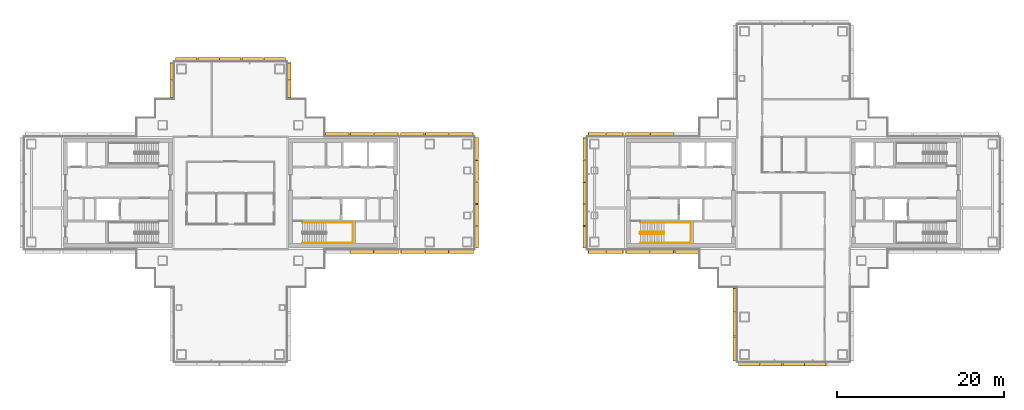
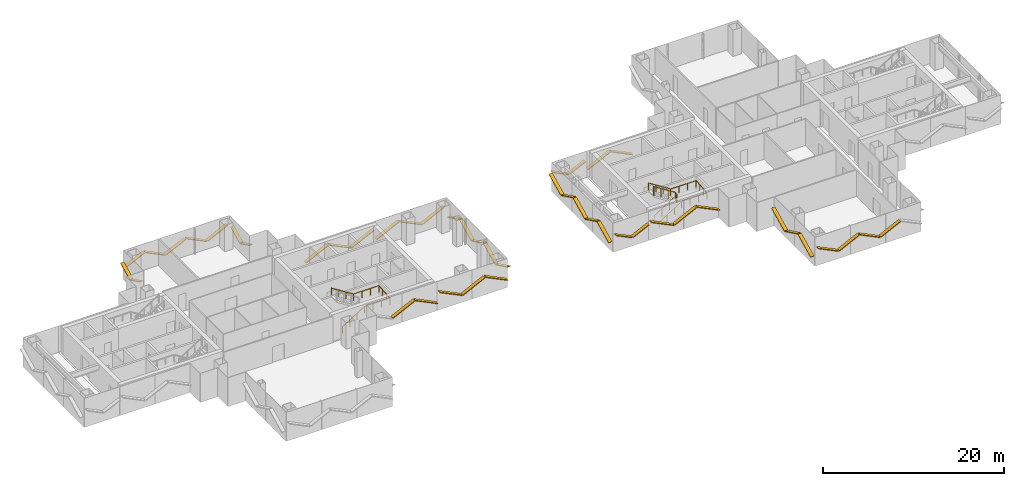
# One storey, part 15 of 16: 46 shading devices, 3 railings.
"""IFC4 building model written with IfcOpenShell, lengths in metres."""

from ifc_helpers import new_model, si_unit, direction, frame, origin, origin_2d, place, context, subcontext, project, spatial, rectangle, circle, extrude, material, material_profile, profile_set, type_object, element, save


model = new_model("IFC4")

# Units and contexts
model_context = context("Model", 3, precision=1e-05, world=origin(), true_north=direction((0.0, 1.0)))
body_context = subcontext(model_context, "Body", "Model", "MODEL_VIEW")
ifc_project = project(units=[si_unit("LENGTHUNIT", "METRE"), si_unit("AREAUNIT", "SQUARE_METRE"), si_unit("VOLUMEUNIT", "CUBIC_METRE"), si_unit("PLANEANGLEUNIT", "RADIAN"), si_unit("MASSUNIT", "GRAM", prefix="KILO")], contexts=[model_context])

# Site, building, storey
site_placement = place(None, origin())
site = spatial("IfcSite", under=ifc_project, at=site_placement, CompositionType="ELEMENT")
building_placement = place(site_placement, origin())
building = spatial("IfcBuilding", under=site, at=building_placement, Name="Shamsa Quay Exchange Towers", CompositionType="ELEMENT")
storey_placement = place(building_placement, frame((0.0, 0.0, 166.199951171875)))
storey = spatial("IfcBuildingStorey", under=building, at=storey_placement, Name="L39", CompositionType="ELEMENT", Elevation=166.199951171875)

# Shading devices
ifc_material_1 = material(Name="Aluminium EN AW-6063 T6, black anodised", Category="aluminium")
ifc_material_profile = material_profile(ifc_material_1, rectangle(XDim=0.449951171875, YDim=0.10009765625, at=origin_2d()), Name="FIN450x100")
ifc_profile_set = profile_set([ifc_material_profile], Name="Aluminium EN AW-6063 T6, black anodised")
shading_device_type = type_object("IfcShadingDeviceType", Name="FIN 450x100 BLACK ALUMINIUM", PredefinedType="USERDEFINED", material=ifc_profile_set)
shading_device_1_placement = place(storey_placement, frame((-19.374755859375, -7.01904296875, 0.92041015625), z_axis=(0.898807785805, 0.0, 0.438342975507), x_axis=(0.0, 1.0, 0.0)))
element("IfcShadingDevice", 1, at=shading_device_1_placement, inside=storey, type_object=shading_device_type, Name="FIN T1 chevron rib", ObjectType="FIN", PredefinedType="USERDEFINED", context=body_context, shape_type="SweptSolid", body=[
    extrude(rectangle(XDim=0.449951171875, YDim=0.10009765625, at=origin_2d()), origin(), (0.0, 0.0, 1.0), 3.10107421875),
])
shading_device_2_placement = place(storey_placement, frame((-16.4873046875, -7.01904296875, 2.2919921875), z_axis=(0.898807091918, 0.0, -0.438344398296), x_axis=(0.0, 1.0, 0.0)))
element("IfcShadingDevice", 2, at=shading_device_2_placement, inside=storey, type_object=shading_device_type, Name="FIN T1 chevron rib", ObjectType="FIN", PredefinedType="USERDEFINED", context=body_context, shape_type="SweptSolid", body=[
    extrude(rectangle(XDim=0.449951171875, YDim=0.10009765625, at=origin_2d()), origin(), (0.0, 0.0, 1.0), 3.15673828125),
])
shading_device_3_placement = place(storey_placement, frame((-13.35009765625, -7.014892578125, 2.295166015625), z_axis=(0.898787683167, 0.0, -0.438384192903), x_axis=(0.0, 1.0, 0.0)))
element("IfcShadingDevice", 3, at=shading_device_3_placement, inside=storey, type_object=shading_device_type, Name="FIN T1 chevron rib", ObjectType="FIN", PredefinedType="USERDEFINED", context=body_context, shape_type="SweptSolid", body=[
    extrude(rectangle(XDim=0.449951171875, YDim=0.10009765625, at=origin_2d()), origin(), (0.0, 0.0, 1.0), 3.171142578125),
])
shading_device_4_placement = place(storey_placement, frame((-10.39990234375, -7.014892578125, 0.917236328125), z_axis=(0.898772964899, 0.0, 0.438414367427), x_axis=(0.0, 1.0, 0.0)))
element("IfcShadingDevice", 4, at=shading_device_4_placement, inside=storey, type_object=shading_device_type, Name="FIN T1 chevron rib", ObjectType="FIN", PredefinedType="USERDEFINED", context=body_context, shape_type="SweptSolid", body=[
    extrude(rectangle(XDim=0.449951171875, YDim=0.10009765625, at=origin_2d()), origin(), (0.0, 0.0, 1.0), 3.115234375),
])
shading_device_5_placement = place(storey_placement, frame((-7.5, -7.014892578125, 2.295166015625), z_axis=(0.898787683167, 0.0, -0.438384192903), x_axis=(0.0, 1.0, 0.0)))
element("IfcShadingDevice", 5, at=shading_device_5_placement, inside=storey, type_object=shading_device_type, Name="FIN T1 chevron rib", ObjectType="FIN", PredefinedType="USERDEFINED", context=body_context, shape_type="SweptSolid", body=[
    extrude(rectangle(XDim=0.449951171875, YDim=0.10009765625, at=origin_2d()), origin(), (0.0, 0.0, 1.0), 3.171142578125),
])
shading_device_6_placement = place(storey_placement, frame((-4.235107421875, -6.60009765625, 2.231689453125), z_axis=(0.0, 0.898805897141, -0.43834684813), x_axis=(-1.0, 0.0, 0.0)))
element("IfcShadingDevice", 6, at=shading_device_6_placement, inside=storey, type_object=shading_device_type, Name="FIN T1 chevron rib", ObjectType="FIN", PredefinedType="USERDEFINED", context=body_context, shape_type="SweptSolid", body=[
    extrude(rectangle(XDim=0.449951171875, YDim=0.10009765625, at=origin_2d()), origin(), (0.0, 0.0, 1.0), 2.881591796875),
])
shading_device_7_placement = place(storey_placement, frame((-4.235107421875, -3.909912109375, 0.980712890625), z_axis=(0.0, 0.898790033474, 0.438379374204), x_axis=(-1.0, 0.0, 0.0)))
element("IfcShadingDevice", 7, at=shading_device_7_placement, inside=storey, type_object=shading_device_type, Name="FIN T1 chevron rib", ObjectType="FIN", PredefinedType="USERDEFINED", context=body_context, shape_type="SweptSolid", body=[
    extrude(rectangle(XDim=0.449951171875, YDim=0.10009765625, at=origin_2d()), origin(), (0.0, 0.0, 1.0), 2.82568359375),
])
shading_device_8_placement = place(storey_placement, frame((-4.235107421875, -1.27001953125, 2.219482421875), z_axis=(0.0, 0.898806635049, -0.438345335086), x_axis=(-1.0, 0.0, 0.0)))
element("IfcShadingDevice", 8, at=shading_device_8_placement, inside=storey, type_object=shading_device_type, Name="FIN T1 chevron rib", ObjectType="FIN", PredefinedType="USERDEFINED", context=body_context, shape_type="SweptSolid", body=[
    extrude(rectangle(XDim=0.449951171875, YDim=0.10009765625, at=origin_2d()), origin(), (0.0, 0.0, 1.0), 2.825927734375),
])
shading_device_9_placement = place(storey_placement, frame((-4.235107421875, 1.3701171875, 0.980712890625), z_axis=(0.0, 0.898790033474, 0.438379374204), x_axis=(-1.0, 0.0, 0.0)))
element("IfcShadingDevice", 9, at=shading_device_9_placement, inside=storey, type_object=shading_device_type, Name="FIN T1 chevron rib", ObjectType="FIN", PredefinedType="USERDEFINED", context=body_context, shape_type="SweptSolid", body=[
    extrude(rectangle(XDim=0.449951171875, YDim=0.10009765625, at=origin_2d()), origin(), (0.0, 0.0, 1.0), 2.82568359375),
])
shading_device_10_placement = place(storey_placement, frame((-4.235107421875, 4.010009765625, 2.231689453125), z_axis=(0.0, 0.898805897141, -0.43834684813), x_axis=(-1.0, 0.0, 0.0)))
element("IfcShadingDevice", 10, at=shading_device_10_placement, inside=storey, type_object=shading_device_type, Name="FIN T1 chevron rib", ObjectType="FIN", PredefinedType="USERDEFINED", context=body_context, shape_type="SweptSolid", body=[
    extrude(rectangle(XDim=0.449951171875, YDim=0.10009765625, at=origin_2d()), origin(), (0.0, 0.0, 1.0), 2.881591796875),
])
shading_device_11_placement = place(storey_placement, frame((-4.64990234375, 7.014892578125, 2.295166015625), z_axis=(-0.898787683167, 0.0, -0.438384192903), x_axis=(0.0, -1.0, 0.0)))
element("IfcShadingDevice", 11, at=shading_device_11_placement, inside=storey, type_object=shading_device_type, Name="FIN T1 chevron rib", ObjectType="FIN", PredefinedType="USERDEFINED", context=body_context, shape_type="SweptSolid", body=[
    extrude(rectangle(XDim=0.449951171875, YDim=0.10009765625, at=origin_2d()), origin(), (0.0, 0.0, 1.0), 3.171142578125),
])
shading_device_12_placement = place(storey_placement, frame((-7.60009765625, 7.014892578125, 0.917236328125), z_axis=(-0.898772964899, 0.0, 0.438414367427), x_axis=(0.0, -1.0, 0.0)))
element("IfcShadingDevice", 12, at=shading_device_12_placement, inside=storey, type_object=shading_device_type, Name="FIN T1 chevron rib", ObjectType="FIN", PredefinedType="USERDEFINED", context=body_context, shape_type="SweptSolid", body=[
    extrude(rectangle(XDim=0.449951171875, YDim=0.10009765625, at=origin_2d()), origin(), (0.0, 0.0, 1.0), 3.115234375),
])
for number, where, z_axis, x_axis, name in (
    (13, (-10.5, 7.014892578125, 2.295166015625), (-0.898787683167, 0.0, -0.438384192903), (0.0, -1.0, 0.0), "FIN T1 chevron rib"),
    (14, (-13.64990234375, 7.01904296875, 2.295166015625), (-0.898787683167, 0.0, -0.438384192903), (0.0, -1.0, 0.0), "FIN T1 chevron rib"),
):
    element("IfcShadingDevice", number, at=place(storey_placement, frame(where, z_axis=z_axis, x_axis=x_axis)), inside=storey, type_object=shading_device_type, Name=name, ObjectType="FIN", PredefinedType="USERDEFINED", context=body_context, shape_type="SweptSolid", body=[
        extrude(rectangle(XDim=0.449951171875, YDim=0.10009765625, at=origin_2d()), origin(), (0.0, 0.0, 1.0), 3.171142578125),
    ])
shading_device_13_placement = place(storey_placement, frame((-16.60009765625, 7.01904296875, 0.917236328125), z_axis=(-0.898772964899, 0.0, 0.438414367427), x_axis=(0.0, -1.0, 0.0)))
element("IfcShadingDevice", 15, at=shading_device_13_placement, inside=storey, type_object=shading_device_type, Name="FIN T1 chevron rib", ObjectType="FIN", PredefinedType="USERDEFINED", context=body_context, shape_type="SweptSolid", body=[
    extrude(rectangle(XDim=0.449951171875, YDim=0.10009765625, at=origin_2d()), origin(), (0.0, 0.0, 1.0), 3.115234375),
])
shading_device_14_placement = place(storey_placement, frame((-19.5, 7.01904296875, 2.295166015625), z_axis=(-0.898787683167, 0.0, -0.438384192903), x_axis=(0.0, -1.0, 0.0)))
element("IfcShadingDevice", 16, at=shading_device_14_placement, inside=storey, type_object=shading_device_type, Name="FIN T1 chevron rib", ObjectType="FIN", PredefinedType="USERDEFINED", context=body_context, shape_type="SweptSolid", body=[
    extrude(rectangle(XDim=0.449951171875, YDim=0.10009765625, at=origin_2d()), origin(), (0.0, 0.0, 1.0), 3.171142578125),
])
for number, where, z_axis, x_axis, name in (
    (17, (-26.735107421875, 11.43798828125, 2.095458984375), (0.0, 0.898770522295, -0.438419374861), (-1.0, 0.0, 0.0), "FIN T1 chevron rib"),
    (18, (-26.735107421875, 13.569091796875, 1.104736328125), (0.0, 0.898770522295, 0.438419374861), (-1.0, 0.0, 0.0), "FIN T1 chevron rib"),
):
    element("IfcShadingDevice", number, at=place(storey_placement, frame(where, z_axis=z_axis, x_axis=x_axis)), inside=storey, type_object=shading_device_type, Name=name, ObjectType="FIN", PredefinedType="USERDEFINED", context=body_context, shape_type="SweptSolid", body=[
        extrude(rectangle(XDim=0.449951171875, YDim=0.10009765625, at=origin_2d()), origin(), (0.0, 0.0, 1.0), 2.259765625),
    ])
shading_device_15_placement = place(storey_placement, frame((-27.14990234375, 16.014892578125, 2.231689453125), z_axis=(-0.898805897141, 0.0, -0.43834684813), x_axis=(0.0, -1.0, 0.0)))
element("IfcShadingDevice", 19, at=shading_device_15_placement, inside=storey, type_object=shading_device_type, Name="FIN T1 chevron rib", ObjectType="FIN", PredefinedType="USERDEFINED", context=body_context, shape_type="SweptSolid", body=[
    extrude(rectangle(XDim=0.449951171875, YDim=0.10009765625, at=origin_2d()), origin(), (0.0, 0.0, 1.0), 2.881591796875),
])
shading_device_16_placement = place(storey_placement, frame((-29.840087890625, 16.014892578125, 0.980712890625), z_axis=(-0.898790033474, 0.0, 0.438379374204), x_axis=(0.0, -1.0, 0.0)))
element("IfcShadingDevice", 20, at=shading_device_16_placement, inside=storey, type_object=shading_device_type, Name="FIN T1 chevron rib", ObjectType="FIN", PredefinedType="USERDEFINED", context=body_context, shape_type="SweptSolid", body=[
    extrude(rectangle(XDim=0.449951171875, YDim=0.10009765625, at=origin_2d()), origin(), (0.0, 0.0, 1.0), 2.82568359375),
])
shading_device_17_placement = place(storey_placement, frame((-32.47998046875, 16.014892578125, 2.219482421875), z_axis=(-0.898806635049, 0.0, -0.438345335086), x_axis=(0.0, -1.0, 0.0)))
element("IfcShadingDevice", 21, at=shading_device_17_placement, inside=storey, type_object=shading_device_type, Name="FIN T1 chevron rib", ObjectType="FIN", PredefinedType="USERDEFINED", context=body_context, shape_type="SweptSolid", body=[
    extrude(rectangle(XDim=0.449951171875, YDim=0.10009765625, at=origin_2d()), origin(), (0.0, 0.0, 1.0), 2.825927734375),
])
shading_device_18_placement = place(storey_placement, frame((-35.1201171875, 16.014892578125, 0.980712890625), z_axis=(-0.898790033474, 0.0, 0.438379374204), x_axis=(0.0, -1.0, 0.0)))
element("IfcShadingDevice", 22, at=shading_device_18_placement, inside=storey, type_object=shading_device_type, Name="FIN T1 chevron rib", ObjectType="FIN", PredefinedType="USERDEFINED", context=body_context, shape_type="SweptSolid", body=[
    extrude(rectangle(XDim=0.449951171875, YDim=0.10009765625, at=origin_2d()), origin(), (0.0, 0.0, 1.0), 2.82568359375),
])
shading_device_19_placement = place(storey_placement, frame((-37.760009765625, 16.014892578125, 2.231689453125), z_axis=(-0.898805897141, 0.0, -0.43834684813), x_axis=(0.0, -1.0, 0.0)))
element("IfcShadingDevice", 23, at=shading_device_19_placement, inside=storey, type_object=shading_device_type, Name="FIN T1 chevron rib", ObjectType="FIN", PredefinedType="USERDEFINED", context=body_context, shape_type="SweptSolid", body=[
    extrude(rectangle(XDim=0.449951171875, YDim=0.10009765625, at=origin_2d()), origin(), (0.0, 0.0, 1.0), 2.881591796875),
])
for number, where, z_axis, x_axis, name in (
    (24, (-40.764892578125, 15.60009765625, 2.099853515625), (0.0, -0.898814733754, -0.43832872868), (1.0, 0.0, 0.0), "FIN T1 chevron rib"),
    (25, (-40.764892578125, 13.449951171875, 1.10009765625), (0.0, -0.898814733754, 0.43832872868), (1.0, 0.0, 0.0), "FIN T1 chevron rib"),
):
    element("IfcShadingDevice", number, at=place(storey_placement, frame(where, z_axis=z_axis, x_axis=x_axis)), inside=storey, type_object=shading_device_type, Name=name, ObjectType="FIN", PredefinedType="USERDEFINED", context=body_context, shape_type="SweptSolid", body=[
        extrude(rectangle(XDim=0.449951171875, YDim=0.10009765625, at=origin_2d()), origin(), (0.0, 0.0, 1.0), 2.28076171875),
    ])
shading_device_20_placement = place(storey_placement, frame((19.374755859375, 7.01904296875, 0.92041015625), z_axis=(-0.898807785805, 0.0, 0.438342975507), x_axis=(0.0, -1.0, 0.0)))
element("IfcShadingDevice", 26, at=shading_device_20_placement, inside=storey, type_object=shading_device_type, Name="FIN T2 chevron rib", ObjectType="FIN", PredefinedType="USERDEFINED", context=body_context, shape_type="SweptSolid", body=[
    extrude(rectangle(XDim=0.449951171875, YDim=0.10009765625, at=origin_2d()), origin(), (0.0, 0.0, 1.0), 3.10107421875),
])
shading_device_21_placement = place(storey_placement, frame((16.4873046875, 7.01904296875, 2.2919921875), z_axis=(-0.898807091918, 0.0, -0.438344398296), x_axis=(0.0, -1.0, 0.0)))
element("IfcShadingDevice", 27, at=shading_device_21_placement, inside=storey, type_object=shading_device_type, Name="FIN T2 chevron rib", ObjectType="FIN", PredefinedType="USERDEFINED", context=body_context, shape_type="SweptSolid", body=[
    extrude(rectangle(XDim=0.449951171875, YDim=0.10009765625, at=origin_2d()), origin(), (0.0, 0.0, 1.0), 3.15673828125),
])
for number, where, z_axis, x_axis, name in (
    (28, (13.35009765625, 7.014892578125, 2.099853515625), (-0.898814733754, 0.0, -0.43832872868), (0.0, -1.0, 0.0), "FIN T2 chevron rib"),
    (29, (11.199951171875, 7.014892578125, 1.10009765625), (-0.898814733754, 0.0, 0.43832872868), (0.0, -1.0, 0.0), "FIN T2 chevron rib"),
):
    element("IfcShadingDevice", number, at=place(storey_placement, frame(where, z_axis=z_axis, x_axis=x_axis)), inside=storey, type_object=shading_device_type, Name=name, ObjectType="FIN", PredefinedType="USERDEFINED", context=body_context, shape_type="SweptSolid", body=[
        extrude(rectangle(XDim=0.449951171875, YDim=0.10009765625, at=origin_2d()), origin(), (0.0, 0.0, 1.0), 2.28076171875),
    ])
shading_device_22_placement = place(storey_placement, frame((8.735107421875, 6.60009765625, 2.231689453125), z_axis=(0.0, -0.898805897141, -0.43834684813), x_axis=(1.0, 0.0, 0.0)))
element("IfcShadingDevice", 30, at=shading_device_22_placement, inside=storey, type_object=shading_device_type, Name="FIN T2 chevron rib", ObjectType="FIN", PredefinedType="USERDEFINED", context=body_context, shape_type="SweptSolid", body=[
    extrude(rectangle(XDim=0.449951171875, YDim=0.10009765625, at=origin_2d()), origin(), (0.0, 0.0, 1.0), 2.881591796875),
])
shading_device_23_placement = place(storey_placement, frame((8.735107421875, 3.909912109375, 0.980712890625), z_axis=(0.0, -0.898790033474, 0.438379374204), x_axis=(1.0, 0.0, 0.0)))
element("IfcShadingDevice", 31, at=shading_device_23_placement, inside=storey, type_object=shading_device_type, Name="FIN T2 chevron rib", ObjectType="FIN", PredefinedType="USERDEFINED", context=body_context, shape_type="SweptSolid", body=[
    extrude(rectangle(XDim=0.449951171875, YDim=0.10009765625, at=origin_2d()), origin(), (0.0, 0.0, 1.0), 2.82568359375),
])
shading_device_24_placement = place(storey_placement, frame((8.735107421875, 1.27001953125, 2.219482421875), z_axis=(0.0, -0.898806635049, -0.438345335086), x_axis=(1.0, 0.0, 0.0)))
element("IfcShadingDevice", 32, at=shading_device_24_placement, inside=storey, type_object=shading_device_type, Name="FIN T2 chevron rib", ObjectType="FIN", PredefinedType="USERDEFINED", context=body_context, shape_type="SweptSolid", body=[
    extrude(rectangle(XDim=0.449951171875, YDim=0.10009765625, at=origin_2d()), origin(), (0.0, 0.0, 1.0), 2.825927734375),
])
shading_device_25_placement = place(storey_placement, frame((8.735107421875, -1.3701171875, 0.980712890625), z_axis=(0.0, -0.898790033474, 0.438379374204), x_axis=(1.0, 0.0, 0.0)))
element("IfcShadingDevice", 33, at=shading_device_25_placement, inside=storey, type_object=shading_device_type, Name="FIN T2 chevron rib", ObjectType="FIN", PredefinedType="USERDEFINED", context=body_context, shape_type="SweptSolid", body=[
    extrude(rectangle(XDim=0.449951171875, YDim=0.10009765625, at=origin_2d()), origin(), (0.0, 0.0, 1.0), 2.82568359375),
])
shading_device_26_placement = place(storey_placement, frame((8.735107421875, -4.010009765625, 2.231689453125), z_axis=(0.0, -0.898805897141, -0.43834684813), x_axis=(1.0, 0.0, 0.0)))
element("IfcShadingDevice", 34, at=shading_device_26_placement, inside=storey, type_object=shading_device_type, Name="FIN T2 chevron rib", ObjectType="FIN", PredefinedType="USERDEFINED", context=body_context, shape_type="SweptSolid", body=[
    extrude(rectangle(XDim=0.449951171875, YDim=0.10009765625, at=origin_2d()), origin(), (0.0, 0.0, 1.0), 2.881591796875),
])
for number, where, z_axis, x_axis, name in (
    (35, (9.14990234375, -7.014892578125, 2.099853515625), (0.898814733754, 0.0, -0.43832872868), (0.0, 1.0, 0.0), "FIN T2 chevron rib"),
    (36, (11.300048828125, -7.014892578125, 1.10009765625), (0.898814733754, 0.0, 0.43832872868), (0.0, 1.0, 0.0), "FIN T2 chevron rib"),
):
    element("IfcShadingDevice", number, at=place(storey_placement, frame(where, z_axis=z_axis, x_axis=x_axis)), inside=storey, type_object=shading_device_type, Name=name, ObjectType="FIN", PredefinedType="USERDEFINED", context=body_context, shape_type="SweptSolid", body=[
        extrude(rectangle(XDim=0.449951171875, YDim=0.10009765625, at=origin_2d()), origin(), (0.0, 0.0, 1.0), 2.28076171875),
    ])
shading_device_27_placement = place(storey_placement, frame((13.64990234375, -7.01904296875, 2.295166015625), z_axis=(0.898787683167, 0.0, -0.438384192903), x_axis=(0.0, 1.0, 0.0)))
element("IfcShadingDevice", 37, at=shading_device_27_placement, inside=storey, type_object=shading_device_type, Name="FIN T2 chevron rib", ObjectType="FIN", PredefinedType="USERDEFINED", context=body_context, shape_type="SweptSolid", body=[
    extrude(rectangle(XDim=0.449951171875, YDim=0.10009765625, at=origin_2d()), origin(), (0.0, 0.0, 1.0), 3.171142578125),
])
shading_device_28_placement = place(storey_placement, frame((16.60009765625, -7.01904296875, 0.917236328125), z_axis=(0.898772964899, 0.0, 0.438414367427), x_axis=(0.0, 1.0, 0.0)))
element("IfcShadingDevice", 38, at=shading_device_28_placement, inside=storey, type_object=shading_device_type, Name="FIN T2 chevron rib", ObjectType="FIN", PredefinedType="USERDEFINED", context=body_context, shape_type="SweptSolid", body=[
    extrude(rectangle(XDim=0.449951171875, YDim=0.10009765625, at=origin_2d()), origin(), (0.0, 0.0, 1.0), 3.115234375),
])
shading_device_29_placement = place(storey_placement, frame((19.5, -7.01904296875, 2.295166015625), z_axis=(0.898787683167, 0.0, -0.438384192903), x_axis=(0.0, 1.0, 0.0)))
element("IfcShadingDevice", 39, at=shading_device_29_placement, inside=storey, type_object=shading_device_type, Name="FIN T2 chevron rib", ObjectType="FIN", PredefinedType="USERDEFINED", context=body_context, shape_type="SweptSolid", body=[
    extrude(rectangle(XDim=0.449951171875, YDim=0.10009765625, at=origin_2d()), origin(), (0.0, 0.0, 1.0), 3.171142578125),
])
shading_device_30_placement = place(storey_placement, frame((26.735107421875, -11.43798828125, 2.2919921875), z_axis=(0.0, -0.898807091918, -0.438344398296), x_axis=(1.0, 0.0, 0.0)))
element("IfcShadingDevice", 40, at=shading_device_30_placement, inside=storey, type_object=shading_device_type, Name="FIN T2 chevron rib", ObjectType="FIN", PredefinedType="USERDEFINED", context=body_context, shape_type="SweptSolid", body=[
    extrude(rectangle(XDim=0.449951171875, YDim=0.10009765625, at=origin_2d()), origin(), (0.0, 0.0, 1.0), 3.15673828125),
])
shading_device_31_placement = place(storey_placement, frame((26.735107421875, -14.375244140625, 0.92041015625), z_axis=(0.0, -0.898807785805, 0.438342975507), x_axis=(1.0, 0.0, 0.0)))
element("IfcShadingDevice", 41, at=shading_device_31_placement, inside=storey, type_object=shading_device_type, Name="FIN T2 chevron rib", ObjectType="FIN", PredefinedType="USERDEFINED", context=body_context, shape_type="SweptSolid", body=[
    extrude(rectangle(XDim=0.449951171875, YDim=0.10009765625, at=origin_2d()), origin(), (0.0, 0.0, 1.0), 3.10107421875),
])
shading_device_32_placement = place(storey_placement, frame((26.735107421875, -17.2626953125, 2.2919921875), z_axis=(0.0, -0.898807091918, -0.438344398296), x_axis=(1.0, 0.0, 0.0)))
element("IfcShadingDevice", 42, at=shading_device_32_placement, inside=storey, type_object=shading_device_type, Name="FIN T2 chevron rib", ObjectType="FIN", PredefinedType="USERDEFINED", context=body_context, shape_type="SweptSolid", body=[
    extrude(rectangle(XDim=0.449951171875, YDim=0.10009765625, at=origin_2d()), origin(), (0.0, 0.0, 1.0), 3.15673828125),
])
shading_device_33_placement = place(storey_placement, frame((27.14990234375, -20.514892578125, 2.231689453125), z_axis=(0.898805897141, 0.0, -0.43834684813), x_axis=(0.0, 1.0, 0.0)))
element("IfcShadingDevice", 43, at=shading_device_33_placement, inside=storey, type_object=shading_device_type, Name="FIN T2 chevron rib", ObjectType="FIN", PredefinedType="USERDEFINED", context=body_context, shape_type="SweptSolid", body=[
    extrude(rectangle(XDim=0.449951171875, YDim=0.10009765625, at=origin_2d()), origin(), (0.0, 0.0, 1.0), 2.881591796875),
])
shading_device_34_placement = place(storey_placement, frame((29.840087890625, -20.514892578125, 0.980712890625), z_axis=(0.898790033474, 0.0, 0.438379374204), x_axis=(0.0, 1.0, 0.0)))
element("IfcShadingDevice", 44, at=shading_device_34_placement, inside=storey, type_object=shading_device_type, Name="FIN T2 chevron rib", ObjectType="FIN", PredefinedType="USERDEFINED", context=body_context, shape_type="SweptSolid", body=[
    extrude(rectangle(XDim=0.449951171875, YDim=0.10009765625, at=origin_2d()), origin(), (0.0, 0.0, 1.0), 2.82568359375),
])
shading_device_35_placement = place(storey_placement, frame((32.47998046875, -20.514892578125, 2.219482421875), z_axis=(0.898806635049, 0.0, -0.438345335086), x_axis=(0.0, 1.0, 0.0)))
element("IfcShadingDevice", 45, at=shading_device_35_placement, inside=storey, type_object=shading_device_type, Name="FIN T2 chevron rib", ObjectType="FIN", PredefinedType="USERDEFINED", context=body_context, shape_type="SweptSolid", body=[
    extrude(rectangle(XDim=0.449951171875, YDim=0.10009765625, at=origin_2d()), origin(), (0.0, 0.0, 1.0), 2.825927734375),
])
shading_device_36_placement = place(storey_placement, frame((35.1201171875, -20.514892578125, 0.980712890625), z_axis=(0.898790033474, 0.0, 0.438379374204), x_axis=(0.0, 1.0, 0.0)))
element("IfcShadingDevice", 46, at=shading_device_36_placement, inside=storey, type_object=shading_device_type, Name="FIN T2 chevron rib", ObjectType="FIN", PredefinedType="USERDEFINED", context=body_context, shape_type="SweptSolid", body=[
    extrude(rectangle(XDim=0.449951171875, YDim=0.10009765625, at=origin_2d()), origin(), (0.0, 0.0, 1.0), 2.82568359375),
])

# Railings
ifc_material_2 = material(Name="Stainless steel", Category="steel")
railing_type_1 = type_object("IfcRailingType", Name="STAIR GUARD 1100", PredefinedType="GUARDRAIL", material=ifc_material_2)
railing_1_placement = place(storey_placement, frame((15.39990234375, -4.89990234375, 0.17724609375)))
element("IfcRailing", 47, at=railing_1_placement, inside=storey, type_object=railing_type_1, Name="L39 ST4 stair guard 1", PredefinedType="GUARDRAIL", context=body_context, shape_type="SweptSolid", body=[
    extrude(circle(Radius=0.02392578125, at=origin_2d()), frame((0.0, 0.0, 1.076171875), z_axis=(0.844908973607, 0.0, 0.534910110503), x_axis=(0.0, 1.0, 0.0)), (0.0, 0.0, 1.0), 3.31396484375),
    extrude(circle(Radius=0.02392578125, at=origin_2d()), frame((2.800048828125, 0.0, 2.8486328125), z_axis=(0.708833529934, 0.705375805398, 0.0), x_axis=(-0.705375805398, 0.708833529934, 0.0)), (0.0, 0.0, 1.0), 0.070556640625),
    extrude(circle(Radius=0.02392578125, at=origin_2d()), frame((2.85009765625, 0.0498046875, 2.8486328125), z_axis=(0.0, 1.0, 0.0), x_axis=(-1.0, 0.0, 0.0)), (0.0, 0.0, 1.0), 0.150146484375),
    extrude(circle(Radius=0.02392578125, at=origin_2d()), frame((2.85009765625, 0.199951171875, 2.8486328125), z_axis=(-0.261922500866, 0.261922500866, 0.928866625022), x_axis=(-0.707106781187, -0.707106781187, 0.0)), (0.0, 0.0, 1.0), 0.191162109375),
    extrude(circle(Radius=0.02392578125, at=origin_2d()), frame((2.800048828125, 0.25, 3.0263671875), z_axis=(-0.844908973607, 0.0, 0.534910110503), x_axis=(0.0, -1.0, 0.0)), (0.0, 0.0, 1.0), 3.31396484375),
    extrude(circle(Radius=0.02392578125, at=origin_2d()), frame((0.0, 0.25, 4.798828125), z_axis=(-0.24142163986, -0.970420317083, 0.0), x_axis=(0.970420317083, -0.24142163986, 0.0)), (0.0, 0.0, 1.0), 0.206298828125),
    extrude(circle(Radius=0.02392578125, at=origin_2d()), frame((-0.0498046875, 0.0498046875, 4.798828125), z_axis=(0.0, 1.0, 0.0), x_axis=(-1.0, 0.0, 0.0)), (0.0, 0.0, 1.0), 0.150146484375),
    extrude(circle(Radius=0.02099609375, at=origin_2d()), origin(), (0.0, 0.0, 1.0), 1.052001953125),
    extrude(circle(Radius=0.02099609375, at=origin_2d()), frame((0.933349609375, 0.0, 0.5908203125)), (0.0, 0.0, 1.0), 1.052001953125),
    extrude(circle(Radius=0.02099609375, at=origin_2d()), frame((1.86669921875, 0.0, 1.181884765625)), (0.0, 0.0, 1.0), 1.052001953125),
    extrude(circle(Radius=0.02099609375, at=origin_2d()), frame((2.800048828125, 0.0, 1.772705078125)), (0.0, 0.0, 1.0), 1.052001953125),
    extrude(circle(Radius=0.02099609375, at=origin_2d()), frame((2.85009765625, 0.0498046875, 1.772705078125)), (0.0, 0.0, 1.0), 1.052001953125),
    extrude(circle(Radius=0.02099609375, at=origin_2d()), frame((2.85009765625, 0.199951171875, 1.772705078125)), (0.0, 0.0, 1.0), 1.052001953125),
    extrude(circle(Radius=0.02099609375, at=origin_2d()), frame((2.800048828125, 0.25, 1.9501953125)), (0.0, 0.0, 1.0), 1.052001953125),
    extrude(circle(Radius=0.02099609375, at=origin_2d()), frame((1.86669921875, 0.25, 2.541015625)), (0.0, 0.0, 1.0), 1.052001953125),
    extrude(circle(Radius=0.02099609375, at=origin_2d()), frame((0.933349609375, 0.25, 3.132080078125)), (0.0, 0.0, 1.0), 1.052001953125),
    extrude(circle(Radius=0.02099609375, at=origin_2d()), frame((0.0, 0.25, 3.722900390625)), (0.0, 0.0, 1.0), 1.052001953125),
    extrude(circle(Radius=0.02099609375, at=origin_2d()), frame((-0.0498046875, 0.0498046875, 3.722900390625)), (0.0, 0.0, 1.0), 1.052001953125),
    extrude(circle(Radius=0.02099609375, at=origin_2d()), frame((-0.0498046875, 0.199951171875, 3.722900390625)), (0.0, 0.0, 1.0), 1.052001953125),
])
railing_type_2 = type_object("IfcRailingType", Name="STAIR HANDRAIL 900", PredefinedType="HANDRAIL", material=ifc_material_2)
railing_2_placement = place(storey_placement, frame((-25.10009765625, -6.0, 0.17724609375)))
element("IfcRailing", 48, at=railing_2_placement, inside=storey, type_object=railing_type_2, Name="L39 ST1 stair handrail 1", PredefinedType="HANDRAIL", context=body_context, shape_type="SweptSolid", body=[
    extrude(circle(Radius=0.02392578125, at=origin_2d()), frame((0.0, 0.0, 0.8759765625), z_axis=(0.844908973607, 0.0, 0.534910110503), x_axis=(0.0, 1.0, 0.0)), (0.0, 0.0, 1.0), 3.31396484375),
    extrude(circle(Radius=0.02392578125, at=origin_2d()), frame((2.800048828125, 0.0, 2.6484375), z_axis=(1.0, 0.0, 0.0), x_axis=(0.0, 1.0, 0.0)), (0.0, 0.0, 1.0), 3.25),
    extrude(circle(Radius=0.02392578125, at=origin_2d()), frame((6.050048828125, 0.0, 2.6484375), z_axis=(0.0, 0.997386041853, 0.072257065513), x_axis=(-1.0, 0.0, 0.0)), (0.0, 0.0, 1.0), 2.456298828125),
    extrude(circle(Radius=0.02392578125, at=origin_2d()), frame((6.050048828125, 2.449951171875, 2.826171875), z_axis=(-1.0, 0.0, 0.0), x_axis=(0.0, -1.0, 0.0)), (0.0, 0.0, 1.0), 3.25),
    extrude(circle(Radius=0.02392578125, at=origin_2d()), frame((2.800048828125, 2.449951171875, 2.826171875), z_axis=(-0.844908973607, 0.0, 0.534910110503), x_axis=(0.0, -1.0, 0.0)), (0.0, 0.0, 1.0), 3.31396484375),
    extrude(circle(Radius=0.02099609375, at=origin_2d()), origin(), (0.0, 0.0, 1.0), 0.851806640625),
    extrude(circle(Radius=0.02099609375, at=origin_2d()), frame((0.933349609375, 0.0, 0.5908203125)), (0.0, 0.0, 1.0), 0.851806640625),
    extrude(circle(Radius=0.02099609375, at=origin_2d()), frame((1.86669921875, 0.0, 1.181884765625)), (0.0, 0.0, 1.0), 0.851806640625),
    extrude(circle(Radius=0.02099609375, at=origin_2d()), frame((2.800048828125, 0.0, 1.772705078125)), (0.0, 0.0, 1.0), 0.851806640625),
    extrude(circle(Radius=0.02099609375, at=origin_2d()), frame((3.88330078125, 0.0, 1.772705078125)), (0.0, 0.0, 1.0), 0.851806640625),
    extrude(circle(Radius=0.02099609375, at=origin_2d()), frame((4.966796875, 0.0, 1.772705078125)), (0.0, 0.0, 1.0), 0.851806640625),
    extrude(circle(Radius=0.02099609375, at=origin_2d()), frame((6.050048828125, 0.0, 1.772705078125)), (0.0, 0.0, 1.0), 0.851806640625),
    extrude(circle(Radius=0.02099609375, at=origin_2d()), frame((6.050048828125, 0.816650390625, 1.831787109375)), (0.0, 0.0, 1.0), 0.851806640625),
    extrude(circle(Radius=0.02099609375, at=origin_2d()), frame((6.050048828125, 1.63330078125, 1.89111328125)), (0.0, 0.0, 1.0), 0.851806640625),
    extrude(circle(Radius=0.02099609375, at=origin_2d()), frame((6.050048828125, 2.449951171875, 1.9501953125)), (0.0, 0.0, 1.0), 0.851806640625),
    extrude(circle(Radius=0.02099609375, at=origin_2d()), frame((4.966796875, 2.449951171875, 1.9501953125)), (0.0, 0.0, 1.0), 0.851806640625),
    extrude(circle(Radius=0.02099609375, at=origin_2d()), frame((3.88330078125, 2.449951171875, 1.9501953125)), (0.0, 0.0, 1.0), 0.851806640625),
    extrude(circle(Radius=0.02099609375, at=origin_2d()), frame((2.800048828125, 2.449951171875, 1.9501953125)), (0.0, 0.0, 1.0), 0.851806640625),
    extrude(circle(Radius=0.02099609375, at=origin_2d()), frame((1.86669921875, 2.449951171875, 2.541015625)), (0.0, 0.0, 1.0), 0.851806640625),
    extrude(circle(Radius=0.02099609375, at=origin_2d()), frame((0.933349609375, 2.449951171875, 3.132080078125)), (0.0, 0.0, 1.0), 0.851806640625),
    extrude(circle(Radius=0.02099609375, at=origin_2d()), frame((0.0, 2.449951171875, 3.722900390625)), (0.0, 0.0, 1.0), 0.851806640625),
])
railing_3_placement = place(storey_placement, frame((15.39990234375, -6.0, 0.17724609375)))
element("IfcRailing", 49, at=railing_3_placement, inside=storey, type_object=railing_type_2, Name="L39 ST4 stair handrail 1", PredefinedType="HANDRAIL", context=body_context, shape_type="SweptSolid", body=[
    extrude(circle(Radius=0.02392578125, at=origin_2d()), frame((0.0, 0.0, 0.8759765625), z_axis=(0.844908973607, 0.0, 0.534910110503), x_axis=(0.0, 1.0, 0.0)), (0.0, 0.0, 1.0), 3.31396484375),
    extrude(circle(Radius=0.02392578125, at=origin_2d()), frame((2.800048828125, 0.0, 2.6484375), z_axis=(1.0, 0.0, 0.0), x_axis=(0.0, 1.0, 0.0)), (0.0, 0.0, 1.0), 3.25),
    extrude(circle(Radius=0.02392578125, at=origin_2d()), frame((6.050048828125, 0.0, 2.6484375), z_axis=(0.0, 0.997386041853, 0.072257065513), x_axis=(-1.0, 0.0, 0.0)), (0.0, 0.0, 1.0), 2.456298828125),
    extrude(circle(Radius=0.02392578125, at=origin_2d()), frame((6.050048828125, 2.449951171875, 2.826171875), z_axis=(-1.0, 0.0, 0.0), x_axis=(0.0, -1.0, 0.0)), (0.0, 0.0, 1.0), 3.25),
    extrude(circle(Radius=0.02392578125, at=origin_2d()), frame((2.800048828125, 2.449951171875, 2.826171875), z_axis=(-0.844908973607, 0.0, 0.534910110503), x_axis=(0.0, -1.0, 0.0)), (0.0, 0.0, 1.0), 3.31396484375),
    extrude(circle(Radius=0.02099609375, at=origin_2d()), origin(), (0.0, 0.0, 1.0), 0.851806640625),
    extrude(circle(Radius=0.02099609375, at=origin_2d()), frame((0.933349609375, 0.0, 0.5908203125)), (0.0, 0.0, 1.0), 0.851806640625),
    extrude(circle(Radius=0.02099609375, at=origin_2d()), frame((1.86669921875, 0.0, 1.181884765625)), (0.0, 0.0, 1.0), 0.851806640625),
    extrude(circle(Radius=0.02099609375, at=origin_2d()), frame((2.800048828125, 0.0, 1.772705078125)), (0.0, 0.0, 1.0), 0.851806640625),
    extrude(circle(Radius=0.02099609375, at=origin_2d()), frame((3.88330078125, 0.0, 1.772705078125)), (0.0, 0.0, 1.0), 0.851806640625),
    extrude(circle(Radius=0.02099609375, at=origin_2d()), frame((4.966796875, 0.0, 1.772705078125)), (0.0, 0.0, 1.0), 0.851806640625),
    extrude(circle(Radius=0.02099609375, at=origin_2d()), frame((6.050048828125, 0.0, 1.772705078125)), (0.0, 0.0, 1.0), 0.851806640625),
    extrude(circle(Radius=0.02099609375, at=origin_2d()), frame((6.050048828125, 0.816650390625, 1.831787109375)), (0.0, 0.0, 1.0), 0.851806640625),
    extrude(circle(Radius=0.02099609375, at=origin_2d()), frame((6.050048828125, 1.63330078125, 1.89111328125)), (0.0, 0.0, 1.0), 0.851806640625),
    extrude(circle(Radius=0.02099609375, at=origin_2d()), frame((6.050048828125, 2.449951171875, 1.9501953125)), (0.0, 0.0, 1.0), 0.851806640625),
    extrude(circle(Radius=0.02099609375, at=origin_2d()), frame((4.966796875, 2.449951171875, 1.9501953125)), (0.0, 0.0, 1.0), 0.851806640625),
    extrude(circle(Radius=0.02099609375, at=origin_2d()), frame((3.88330078125, 2.449951171875, 1.9501953125)), (0.0, 0.0, 1.0), 0.851806640625),
    extrude(circle(Radius=0.02099609375, at=origin_2d()), frame((2.800048828125, 2.449951171875, 1.9501953125)), (0.0, 0.0, 1.0), 0.851806640625),
    extrude(circle(Radius=0.02099609375, at=origin_2d()), frame((1.86669921875, 2.449951171875, 2.541015625)), (0.0, 0.0, 1.0), 0.851806640625),
    extrude(circle(Radius=0.02099609375, at=origin_2d()), frame((0.933349609375, 2.449951171875, 3.132080078125)), (0.0, 0.0, 1.0), 0.851806640625),
    extrude(circle(Radius=0.02099609375, at=origin_2d()), frame((0.0, 2.449951171875, 3.722900390625)), (0.0, 0.0, 1.0), 0.851806640625),
])

save(model, "model.ifc")
